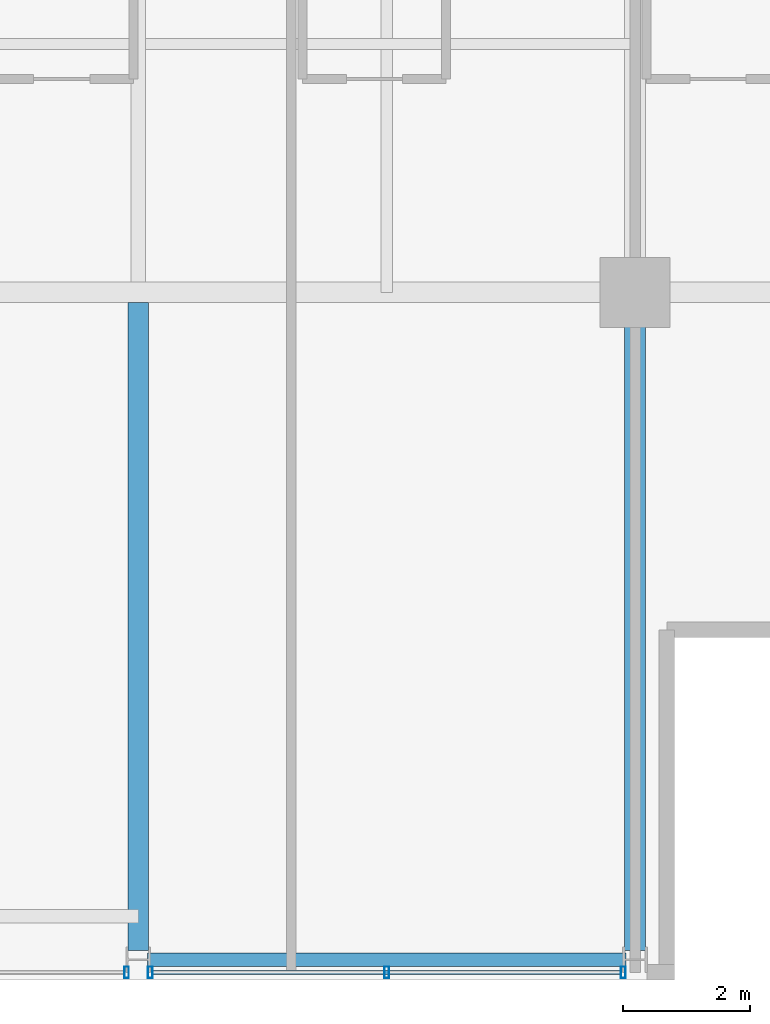
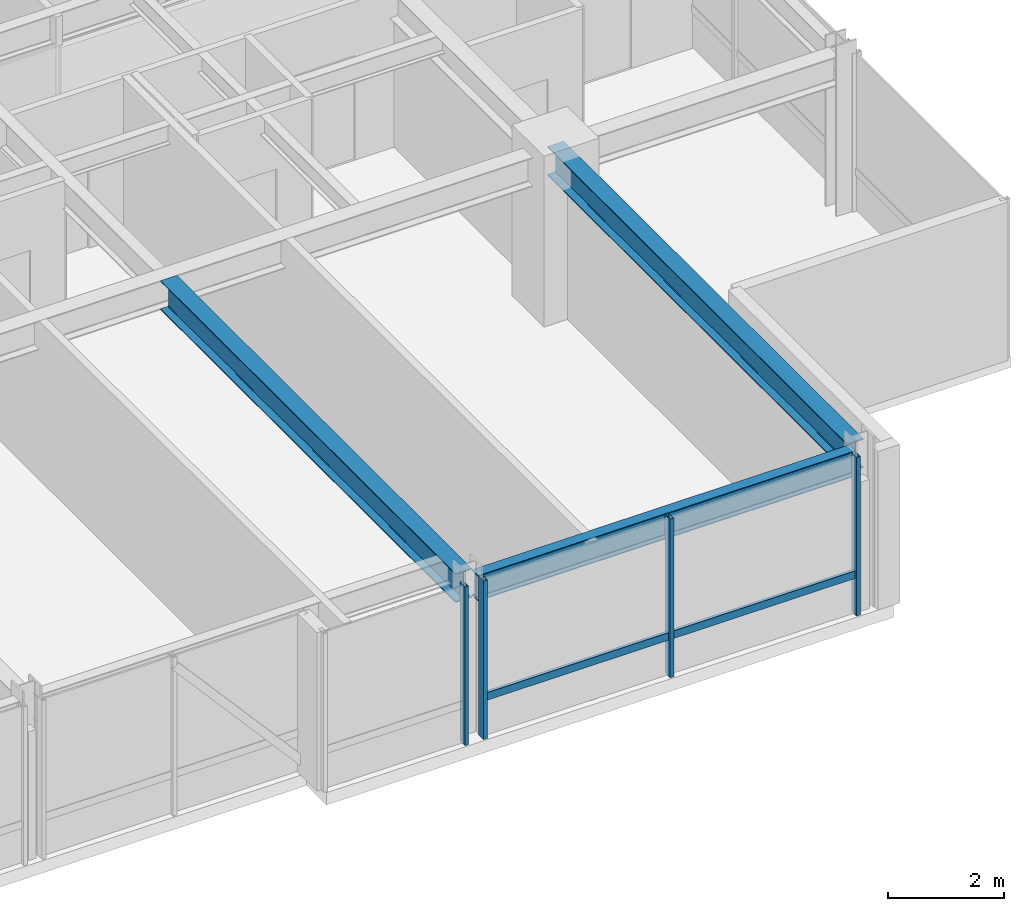
# One storey, part 10 of 32: 5 members, 3 beams, 2 elements without a shape of their own.
"""IFC4 building model written with IfcOpenShell, lengths in metres."""

from ifc_helpers import new_model, si_unit, direction, frame, origin, origin_2d, place, context, subcontext, project, spatial, hollow_rectangle, i_section, extrude, material, layer, layer_set, material_profile, profile_set, type_object, element, aggregate, save


model = new_model("IFC4")

# Units and contexts
model_context = context("Model", 3, precision=1e-05, world=origin(), true_north=direction((0.0, 1.0)))
body_context = subcontext(model_context, "Body", "Model", "MODEL_VIEW")
ifc_project = project(units=[si_unit("LENGTHUNIT", "METRE"), si_unit("AREAUNIT", "SQUARE_METRE"), si_unit("VOLUMEUNIT", "CUBIC_METRE"), si_unit("PLANEANGLEUNIT", "RADIAN"), si_unit("MASSUNIT", "GRAM", prefix="KILO")], contexts=[model_context])

# Site, building, storey
site_placement = place(None, origin())
site = spatial("IfcSite", under=ifc_project, at=site_placement, CompositionType="ELEMENT")
building_placement = place(site_placement, origin())
building = spatial("IfcBuilding", under=site, at=building_placement, Name="Drelvath Grand Hotel", CompositionType="ELEMENT")
storey_placement = place(building_placement, frame((0.0, 0.0, 205.10009765625)))
storey = spatial("IfcBuildingStorey", under=building, at=storey_placement, Name="L53", CompositionType="ELEMENT", Elevation=205.10009765625)

# Curtain wall, member
ifc_material_1 = material(Name="Platinum-Mist Anodised Aluminium Frame", Category="aluminium")
ifc_layer = layer(ifc_material_1, 0.199951171875)
ifc_layer_set = layer_set([ifc_layer], Name="Platinum-Mist Anodised Aluminium Frame")
curtain_wall_type = type_object("IfcCurtainWallType", Name="Stick Curtain Wall CW-05 Platinum Mist High-Rise", PredefinedType="NOTDEFINED", material=ifc_layer_set)
curtain_wall_1_placement = place(storey_placement, origin())
curtain_wall_1 = element("IfcCurtainWall", 1, at=curtain_wall_1_placement, inside=storey, type_object=curtain_wall_type, Name="L53 CW-05 Curtain Wall CW05-L53-SE2", PredefinedType="NOTDEFINED")
ifc_material_profile_1 = material_profile(ifc_material_1, hollow_rectangle(XDim=0.06494140625, YDim=0.159912109375, WallThickness=0.00390625, at=origin_2d()), Name="HSS160X65X4")
ifc_profile_set_1 = profile_set([ifc_material_profile_1], Name="Platinum-Mist Anodised Aluminium Frame")
member_type_1 = type_object("IfcMemberType", Name="Curtain Wall Horizontal Transom CW-05 HSS160X65X4", PredefinedType="USERDEFINED", material=ifc_profile_set_1)
member_1_placement = place(storey_placement, frame((15.974609375, 0.1201171875, 0.8349609375), z_axis=(-1.0, 0.0, 0.0), x_axis=(0.0, -1.0, 0.0)))
member_1 = element("IfcMember", 2, at=member_1_placement, type_object=member_type_1, Name="CW05-L53-SE2 Sill Transom", ObjectType="TRANSOM", PredefinedType="USERDEFINED", context=body_context, shape_type="SweptSolid", body=[
    extrude(hollow_rectangle(XDim=0.06494140625, YDim=0.159912109375, WallThickness=0.00390625, at=origin_2d()), origin(), (0.0, 0.0, 1.0), 7.349365234375),
])

curtain_wall_2_placement = place(storey_placement, origin())
curtain_wall_2 = element("IfcCurtainWall", 3, at=curtain_wall_2_placement, inside=storey, type_object=curtain_wall_type, Name="L53 CW-05 Curtain Wall CW05-L53-SE1", PredefinedType="NOTDEFINED")
ifc_material_profile_2 = material_profile(ifc_material_1, hollow_rectangle(XDim=0.074951171875, YDim=0.179931640625, WallThickness=0.0048828125, at=origin_2d()), Name="HSS180X75X5")
ifc_profile_set_2 = profile_set([ifc_material_profile_2], Name="Platinum-Mist Anodised Aluminium Frame")
member_type_2 = type_object("IfcMemberType", Name="Curtain Wall Vertical Mullion CW-05 HSS180X75X5", PredefinedType="MULLION", material=ifc_profile_set_2)
member_2_placement = place(storey_placement, frame((8.214599609375, 0.1201171875, 0.0), z_axis=(0.0, 0.0, 1.0), x_axis=(1.0, 0.0, 0.0)))
member_2 = element("IfcMember", 4, at=member_2_placement, type_object=member_type_2, Name="CW05-L53-SE1 Mullion 1", PredefinedType="MULLION", context=body_context, shape_type="SweptSolid", body=[
    extrude(hollow_rectangle(XDim=0.074951171875, YDim=0.179931640625, WallThickness=0.0048828125, at=origin_2d()), origin(), (0.0, 0.0, 1.0), 3.33984375),
])
aggregate(curtain_wall_2, [member_2])

# Member
member_3_placement = place(storey_placement, frame((16.0146484375, 0.1201171875, 0.0), z_axis=(0.0, 0.0, 1.0), x_axis=(1.0, 0.0, 0.0)))
member_3 = element("IfcMember", 5, at=member_3_placement, type_object=member_type_2, Name="CW05-L53-SE2 Mullion 1", PredefinedType="MULLION", context=body_context, shape_type="SweptSolid", body=[
    extrude(hollow_rectangle(XDim=0.074951171875, YDim=0.179931640625, WallThickness=0.0048828125, at=origin_2d()), origin(), (0.0, 0.0, 1.0), 3.33984375),
])

member_4_placement = place(storey_placement, frame((12.300048828125, 0.1201171875, 0.0), z_axis=(0.0, 0.0, 1.0), x_axis=(1.0, 0.0, 0.0)))
member_4 = element("IfcMember", 6, at=member_4_placement, type_object=member_type_2, Name="CW05-L53-SE2 Mullion 2", PredefinedType="MULLION", context=body_context, shape_type="SweptSolid", body=[
    extrude(hollow_rectangle(XDim=0.074951171875, YDim=0.179931640625, WallThickness=0.0048828125, at=origin_2d()), origin(), (0.0, 0.0, 1.0), 3.33984375),
])

member_5_placement = place(storey_placement, frame((8.585205078125, 0.1201171875, 0.0), z_axis=(0.0, 0.0, 1.0), x_axis=(1.0, 0.0, 0.0)))
member_5 = element("IfcMember", 7, at=member_5_placement, type_object=member_type_2, Name="CW05-L53-SE2 Mullion 3", PredefinedType="MULLION", context=body_context, shape_type="SweptSolid", body=[
    extrude(hollow_rectangle(XDim=0.074951171875, YDim=0.179931640625, WallThickness=0.0048828125, at=origin_2d()), origin(), (0.0, 0.0, 1.0), 3.33984375),
])

aggregate(curtain_wall_1, [member_3, member_4, member_5, member_1])

# Beams
ifc_material_2 = material(Name="Steel ASTM A992 Gr 50", Category="steel")
ifc_material_profile_3 = material_profile(ifc_material_2, i_section(OverallWidth=0.210205078125, OverallDepth=0.53662109375, WebThickness=0.010986328125, FlangeThickness=0.017333984375, FilletRadius=0.01806640625, at=origin_2d()), Name="W21X68")
ifc_profile_set_3 = profile_set([ifc_material_profile_3], Name="Steel ASTM A992 Gr 50")
beam_type_1 = type_object("IfcBeamType", Name="Perimeter Spandrel Beam W21X68", PredefinedType="SPANDREL", material=ifc_profile_set_3)
beam_1_placement = place(storey_placement, frame((8.5400390625, 0.320068359375, 3.071533203125), z_axis=(1.0, 0.0, 0.0), x_axis=(0.0, 1.0, 0.0)))
element("IfcBeam", 8, at=beam_1_placement, inside=storey, type_object=beam_type_1, Name="L53 Spandrel South E", PredefinedType="SPANDREL", context=body_context, shape_type="SweptSolid", body=[
    extrude(i_section(OverallWidth=0.210205078125, OverallDepth=0.53662109375, WebThickness=0.010986328125, FlangeThickness=0.017333984375, FilletRadius=0.01806640625, at=origin_2d()), origin(), (0.0, 0.0, 1.0), 7.52001953125),
])
ifc_material_profile_4 = material_profile(ifc_material_2, i_section(OverallWidth=0.323974609375, OverallDepth=0.611083984375, WebThickness=0.0126953125, FlangeThickness=0.01904296875, FilletRadius=0.02197265625, at=origin_2d()), Name="W24X104")
ifc_profile_set_4 = profile_set([ifc_material_profile_4], Name="Steel ASTM A992 Gr 50")
beam_type_2 = type_object("IfcBeamType", Name="Primary Floor Girder W24X104", PredefinedType="BEAM", material=ifc_profile_set_4)
beam_2_placement = place(storey_placement, frame((16.199951171875, 0.4599609375, 3.034423828125), z_axis=(0.0, 1.0, 0.0), x_axis=(-1.0, 0.0, 0.0)))
element("IfcBeam", 9, at=beam_2_placement, inside=storey, type_object=beam_type_2, Name="L53 South Grid Girder 7", PredefinedType="BEAM", context=body_context, shape_type="SweptSolid", body=[
    extrude(i_section(OverallWidth=0.323974609375, OverallDepth=0.611083984375, WebThickness=0.0126953125, FlangeThickness=0.01904296875, FilletRadius=0.02197265625, at=origin_2d()), origin(), (0.0, 0.0, 1.0), 10.340087890625),
])
beam_3_placement = place(storey_placement, frame((8.39990234375, 0.4599609375, 3.034423828125), z_axis=(0.0, 1.0, 0.0), x_axis=(-1.0, 0.0, 0.0)))
element("IfcBeam", 10, at=beam_3_placement, inside=storey, type_object=beam_type_2, Name="L53 South Wing Girder 6", PredefinedType="BEAM", context=body_context, shape_type="SweptSolid", body=[
    extrude(i_section(OverallWidth=0.323974609375, OverallDepth=0.611083984375, WebThickness=0.0126953125, FlangeThickness=0.01904296875, FilletRadius=0.02197265625, at=origin_2d()), origin(), (0.0, 0.0, 1.0), 10.177978515625),
])

save(model, "model.ifc")
